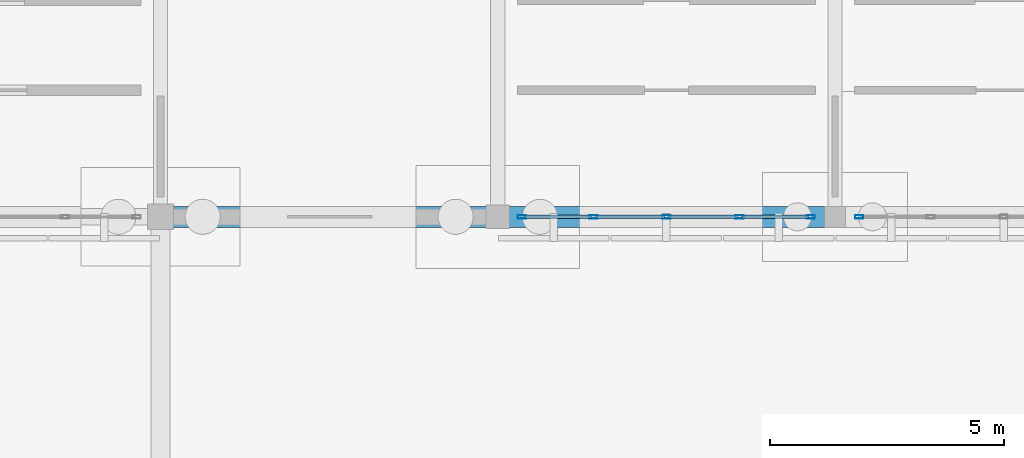
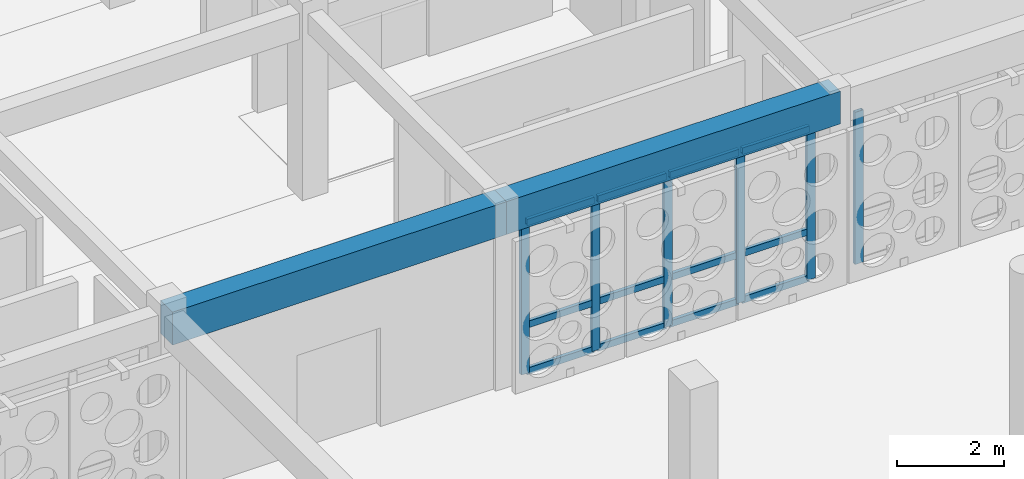
# One storey, part 18 of 111: 18 members, 2 beams, 2 elements without a shape of their own.
"""IFC4 building model written with IfcOpenShell, lengths in metres."""

from ifc_helpers import new_model, si_unit, direction, frame, origin, origin_2d, place, context, subcontext, project, spatial, rectangle, hollow_rectangle, extrude, material, material_profile, profile_set, type_object, element, aggregate, save


model = new_model("IFC4")

# Units and contexts
model_context = context("Model", 3, precision=1e-05, world=origin(), true_north=direction((0.0, 1.0)))
body_context = subcontext(model_context, "Body", "Model", "MODEL_VIEW")
ifc_project = project(units=[si_unit("LENGTHUNIT", "METRE"), si_unit("AREAUNIT", "SQUARE_METRE"), si_unit("VOLUMEUNIT", "CUBIC_METRE"), si_unit("PLANEANGLEUNIT", "RADIAN"), si_unit("MASSUNIT", "GRAM", prefix="KILO")], contexts=[model_context])

# Site, building, storey
site_placement = place(None, origin())
site = spatial("IfcSite", under=ifc_project, at=site_placement, CompositionType="ELEMENT")
building_placement = place(site_placement, origin())
building = spatial("IfcBuilding", under=site, at=building_placement, Name="Aldebral Square Health Centre", CompositionType="ELEMENT")
storey_placement = place(building_placement, origin())
storey = spatial("IfcBuildingStorey", under=building, at=storey_placement, Name="L00", CompositionType="ELEMENT", Elevation=0.0)

# Beams
ifc_material_1 = material(Name="Concrete C40/50", Category="concrete")
ifc_material_profile_1 = material_profile(ifc_material_1, rectangle(XDim=0.449951171875, YDim=0.75, at=origin_2d()), Name="RC 450x750")
ifc_profile_set_1 = profile_set([ifc_material_profile_1], Name="Concrete C40/50")
beam_type = type_object("IfcBeamType", Name="BM-G2", PredefinedType="T_BEAM", material=ifc_profile_set_1)
for number, where, z_axis, x_axis, name in (
    (1, (72.0, 79.199951171875, 3.844970703125), (1.0, 0.0, 0.0), (0.0, 1.0, 0.0), "L00 X-beam 11-12/G12"),
    (2, (79.199951171875, 79.199951171875, 3.844970703125), (1.0, 0.0, 0.0), (0.0, 1.0, 0.0), "L00 X-beam 12-13/G12"),
):
    element("IfcBeam", number, at=place(storey_placement, frame(where, z_axis=z_axis, x_axis=x_axis)), inside=storey, type_object=beam_type, Name=name, PredefinedType="T_BEAM", context=body_context, shape_type="SweptSolid", body=[
        extrude(rectangle(XDim=0.449951171875, YDim=0.75, at=origin_2d()), origin(), (0.0, 0.0, 1.0), 7.199951171875),
    ])

# Curtain wall, members
ifc_material_2 = material(Name="Aluminium and low-E solar glass", Category="aluminium")
curtain_wall_type = type_object("IfcCurtainWallType", Name="CW-HALL-SYS", PredefinedType="USERDEFINED", material=ifc_material_2)
curtain_wall_1_placement = place(storey_placement, origin())
curtain_wall_1 = element("IfcCurtainWall", 3, at=curtain_wall_1_placement, inside=storey, type_object=curtain_wall_type, Name="L00 V1 hall curtain wall L00-V1-11-11-S", ObjectType="HALL_CURTAIN_WALL", PredefinedType="USERDEFINED")
ifc_material_3 = material(Name="Anodised aluminium mullion", Category="aluminium")
ifc_material_profile_2 = material_profile(ifc_material_3, hollow_rectangle(XDim=0.074951171875, YDim=0.179931640625, WallThickness=0.00390625, at=origin_2d()), Name="CWM 75x180x4")
ifc_profile_set_2 = profile_set([ifc_material_profile_2], Name="Anodised aluminium mullion")
member_type_1 = type_object("IfcMemberType", Name="CWM-STD", PredefinedType="MULLION", material=ifc_profile_set_2)
member_1_placement = place(storey_placement, frame((79.717529296875, 79.199951171875, 0.0), z_axis=(0.0, 0.0, 1.0), x_axis=(0.0, 1.0, 0.0)))
member_1 = element("IfcMember", 4, at=member_1_placement, type_object=member_type_1, Name="CW2 mullion 1", PredefinedType="MULLION", context=body_context, shape_type="SweptSolid", body=[
    extrude(hollow_rectangle(XDim=0.074951171875, YDim=0.179931640625, WallThickness=0.00390625, at=origin_2d()), origin(), (0.0, 0.0, 1.0), 3.469970703125),
])
member_2_placement = place(storey_placement, frame((81.239990234375, 79.199951171875, 0.0), z_axis=(0.0, 0.0, 1.0), x_axis=(0.0, 1.0, 0.0)))
member_2 = element("IfcMember", 5, at=member_2_placement, type_object=member_type_1, Name="CW2 mullion 2", PredefinedType="MULLION", context=body_context, shape_type="SweptSolid", body=[
    extrude(hollow_rectangle(XDim=0.074951171875, YDim=0.179931640625, WallThickness=0.00390625, at=origin_2d()), origin(), (0.0, 0.0, 1.0), 3.469970703125),
])
member_3_placement = place(storey_placement, frame((82.800048828125, 79.199951171875, 0.0), z_axis=(0.0, 0.0, 1.0), x_axis=(0.0, 1.0, 0.0)))
member_3 = element("IfcMember", 6, at=member_3_placement, type_object=member_type_1, Name="CW2 mullion 3", PredefinedType="MULLION", context=body_context, shape_type="SweptSolid", body=[
    extrude(hollow_rectangle(XDim=0.074951171875, YDim=0.179931640625, WallThickness=0.00390625, at=origin_2d()), origin(), (0.0, 0.0, 1.0), 3.469970703125),
])
member_4_placement = place(storey_placement, frame((84.360107421875, 79.199951171875, 0.0), z_axis=(0.0, 0.0, 1.0), x_axis=(0.0, 1.0, 0.0)))
member_4 = element("IfcMember", 7, at=member_4_placement, type_object=member_type_1, Name="CW2 mullion 4", PredefinedType="MULLION", context=body_context, shape_type="SweptSolid", body=[
    extrude(hollow_rectangle(XDim=0.074951171875, YDim=0.179931640625, WallThickness=0.00390625, at=origin_2d()), origin(), (0.0, 0.0, 1.0), 3.469970703125),
])
member_5_placement = place(storey_placement, frame((85.882568359375, 79.199951171875, 0.0), z_axis=(0.0, 0.0, 1.0), x_axis=(0.0, 1.0, 0.0)))
member_5 = element("IfcMember", 8, at=member_5_placement, type_object=member_type_1, Name="CW2 mullion 5", PredefinedType="MULLION", context=body_context, shape_type="SweptSolid", body=[
    extrude(hollow_rectangle(XDim=0.074951171875, YDim=0.179931640625, WallThickness=0.00390625, at=origin_2d()), origin(), (0.0, 0.0, 1.0), 3.469970703125),
])

# Curtain wall, member
curtain_wall_2_placement = place(storey_placement, origin())
curtain_wall_2 = element("IfcCurtainWall", 9, at=curtain_wall_2_placement, inside=storey, type_object=curtain_wall_type, Name="L00 V1 hall curtain wall L00-V1-12-11-S", ObjectType="HALL_CURTAIN_WALL", PredefinedType="USERDEFINED")
member_6_placement = place(storey_placement, frame((86.91748046875, 79.199951171875, 0.0), z_axis=(0.0, 0.0, 1.0), x_axis=(0.0, 1.0, 0.0)))
member_6 = element("IfcMember", 10, at=member_6_placement, type_object=member_type_1, Name="CW2 mullion 1", PredefinedType="MULLION", context=body_context, shape_type="SweptSolid", body=[
    extrude(hollow_rectangle(XDim=0.074951171875, YDim=0.179931640625, WallThickness=0.00390625, at=origin_2d()), origin(), (0.0, 0.0, 1.0), 3.469970703125),
])
aggregate(curtain_wall_2, [member_6])

# Member
ifc_material_4 = material(Name="Anodised aluminium transom", Category="aluminium")
ifc_material_profile_3 = material_profile(ifc_material_4, hollow_rectangle(XDim=0.074951171875, YDim=0.14990234375, WallThickness=0.00390625, at=origin_2d()), Name="CWT 75x150x4")
ifc_profile_set_3 = profile_set([ifc_material_profile_3], Name="Anodised aluminium transom")
member_type_2 = type_object("IfcMemberType", Name="CWT-STD", PredefinedType="USERDEFINED", material=ifc_profile_set_3)
member_7_placement = place(storey_placement, frame((79.7548828125, 79.199951171875, 0.03759765625), z_axis=(1.0, 0.0, 0.0), x_axis=(0.0, 1.0, 0.0)))
member_7 = element("IfcMember", 11, at=member_7_placement, type_object=member_type_2, Name="CW2 transom 1.1", ObjectType="TRANSOM", PredefinedType="USERDEFINED", context=body_context, shape_type="SweptSolid", body=[
    extrude(hollow_rectangle(XDim=0.074951171875, YDim=0.14990234375, WallThickness=0.00390625, at=origin_2d()), origin(), (0.0, 0.0, 1.0), 1.447509765625),
])

member_8_placement = place(storey_placement, frame((79.7548828125, 79.199951171875, 1.10009765625), z_axis=(1.0, 0.0, 0.0), x_axis=(0.0, 1.0, 0.0)))
member_8 = element("IfcMember", 12, at=member_8_placement, type_object=member_type_2, Name="CW2 transom 1.2", ObjectType="TRANSOM", PredefinedType="USERDEFINED", context=body_context, shape_type="SweptSolid", body=[
    extrude(hollow_rectangle(XDim=0.074951171875, YDim=0.14990234375, WallThickness=0.00390625, at=origin_2d()), origin(), (0.0, 0.0, 1.0), 1.447509765625),
])

member_9_placement = place(storey_placement, frame((79.7548828125, 79.199951171875, 3.4326171875), z_axis=(1.0, 0.0, 0.0), x_axis=(0.0, 1.0, 0.0)))
member_9 = element("IfcMember", 13, at=member_9_placement, type_object=member_type_2, Name="CW2 transom 1.3", ObjectType="TRANSOM", PredefinedType="USERDEFINED", context=body_context, shape_type="SweptSolid", body=[
    extrude(hollow_rectangle(XDim=0.074951171875, YDim=0.14990234375, WallThickness=0.00390625, at=origin_2d()), origin(), (0.0, 0.0, 1.0), 1.447509765625),
])

member_10_placement = place(storey_placement, frame((81.277587890625, 79.199951171875, 0.03759765625), z_axis=(1.0, 0.0, 0.0), x_axis=(0.0, 1.0, 0.0)))
member_10 = element("IfcMember", 14, at=member_10_placement, type_object=member_type_2, Name="CW2 transom 2.1", ObjectType="TRANSOM", PredefinedType="USERDEFINED", context=body_context, shape_type="SweptSolid", body=[
    extrude(hollow_rectangle(XDim=0.074951171875, YDim=0.14990234375, WallThickness=0.00390625, at=origin_2d()), origin(), (0.0, 0.0, 1.0), 1.48486328125),
])

member_11_placement = place(storey_placement, frame((81.277587890625, 79.199951171875, 1.10009765625), z_axis=(1.0, 0.0, 0.0), x_axis=(0.0, 1.0, 0.0)))
member_11 = element("IfcMember", 15, at=member_11_placement, type_object=member_type_2, Name="CW2 transom 2.2", ObjectType="TRANSOM", PredefinedType="USERDEFINED", context=body_context, shape_type="SweptSolid", body=[
    extrude(hollow_rectangle(XDim=0.074951171875, YDim=0.14990234375, WallThickness=0.00390625, at=origin_2d()), origin(), (0.0, 0.0, 1.0), 1.48486328125),
])

member_12_placement = place(storey_placement, frame((81.277587890625, 79.199951171875, 3.4326171875), z_axis=(1.0, 0.0, 0.0), x_axis=(0.0, 1.0, 0.0)))
member_12 = element("IfcMember", 16, at=member_12_placement, type_object=member_type_2, Name="CW2 transom 2.3", ObjectType="TRANSOM", PredefinedType="USERDEFINED", context=body_context, shape_type="SweptSolid", body=[
    extrude(hollow_rectangle(XDim=0.074951171875, YDim=0.14990234375, WallThickness=0.00390625, at=origin_2d()), origin(), (0.0, 0.0, 1.0), 1.48486328125),
])

member_13_placement = place(storey_placement, frame((82.83740234375, 79.199951171875, 0.03759765625), z_axis=(1.0, 0.0, 0.0), x_axis=(0.0, 1.0, 0.0)))
member_13 = element("IfcMember", 17, at=member_13_placement, type_object=member_type_2, Name="CW2 transom 3.1", ObjectType="TRANSOM", PredefinedType="USERDEFINED", context=body_context, shape_type="SweptSolid", body=[
    extrude(hollow_rectangle(XDim=0.074951171875, YDim=0.14990234375, WallThickness=0.00390625, at=origin_2d()), origin(), (0.0, 0.0, 1.0), 1.485107421875),
])

member_14_placement = place(storey_placement, frame((82.83740234375, 79.199951171875, 1.10009765625), z_axis=(1.0, 0.0, 0.0), x_axis=(0.0, 1.0, 0.0)))
member_14 = element("IfcMember", 18, at=member_14_placement, type_object=member_type_2, Name="CW2 transom 3.2", ObjectType="TRANSOM", PredefinedType="USERDEFINED", context=body_context, shape_type="SweptSolid", body=[
    extrude(hollow_rectangle(XDim=0.074951171875, YDim=0.14990234375, WallThickness=0.00390625, at=origin_2d()), origin(), (0.0, 0.0, 1.0), 1.485107421875),
])

member_15_placement = place(storey_placement, frame((82.83740234375, 79.199951171875, 3.4326171875), z_axis=(1.0, 0.0, 0.0), x_axis=(0.0, 1.0, 0.0)))
member_15 = element("IfcMember", 19, at=member_15_placement, type_object=member_type_2, Name="CW2 transom 3.3", ObjectType="TRANSOM", PredefinedType="USERDEFINED", context=body_context, shape_type="SweptSolid", body=[
    extrude(hollow_rectangle(XDim=0.074951171875, YDim=0.14990234375, WallThickness=0.00390625, at=origin_2d()), origin(), (0.0, 0.0, 1.0), 1.485107421875),
])

member_16_placement = place(storey_placement, frame((84.3974609375, 79.199951171875, 0.03759765625), z_axis=(1.0, 0.0, 0.0), x_axis=(0.0, 1.0, 0.0)))
member_16 = element("IfcMember", 20, at=member_16_placement, type_object=member_type_2, Name="CW2 transom 4.1", ObjectType="TRANSOM", PredefinedType="USERDEFINED", context=body_context, shape_type="SweptSolid", body=[
    extrude(hollow_rectangle(XDim=0.074951171875, YDim=0.14990234375, WallThickness=0.00390625, at=origin_2d()), origin(), (0.0, 0.0, 1.0), 1.447509765625),
])

member_17_placement = place(storey_placement, frame((84.3974609375, 79.199951171875, 1.10009765625), z_axis=(1.0, 0.0, 0.0), x_axis=(0.0, 1.0, 0.0)))
member_17 = element("IfcMember", 21, at=member_17_placement, type_object=member_type_2, Name="CW2 transom 4.2", ObjectType="TRANSOM", PredefinedType="USERDEFINED", context=body_context, shape_type="SweptSolid", body=[
    extrude(hollow_rectangle(XDim=0.074951171875, YDim=0.14990234375, WallThickness=0.00390625, at=origin_2d()), origin(), (0.0, 0.0, 1.0), 1.447509765625),
])

member_18_placement = place(storey_placement, frame((84.3974609375, 79.199951171875, 3.4326171875), z_axis=(1.0, 0.0, 0.0), x_axis=(0.0, 1.0, 0.0)))
member_18 = element("IfcMember", 22, at=member_18_placement, type_object=member_type_2, Name="CW2 transom 4.3", ObjectType="TRANSOM", PredefinedType="USERDEFINED", context=body_context, shape_type="SweptSolid", body=[
    extrude(hollow_rectangle(XDim=0.074951171875, YDim=0.14990234375, WallThickness=0.00390625, at=origin_2d()), origin(), (0.0, 0.0, 1.0), 1.447509765625),
])

aggregate(curtain_wall_1, [member_1, member_2, member_3, member_4, member_5, member_7, member_8, member_9, member_10, member_11, member_12, member_13, member_14, member_15, member_16, member_17, member_18])

save(model, "model.ifc")
